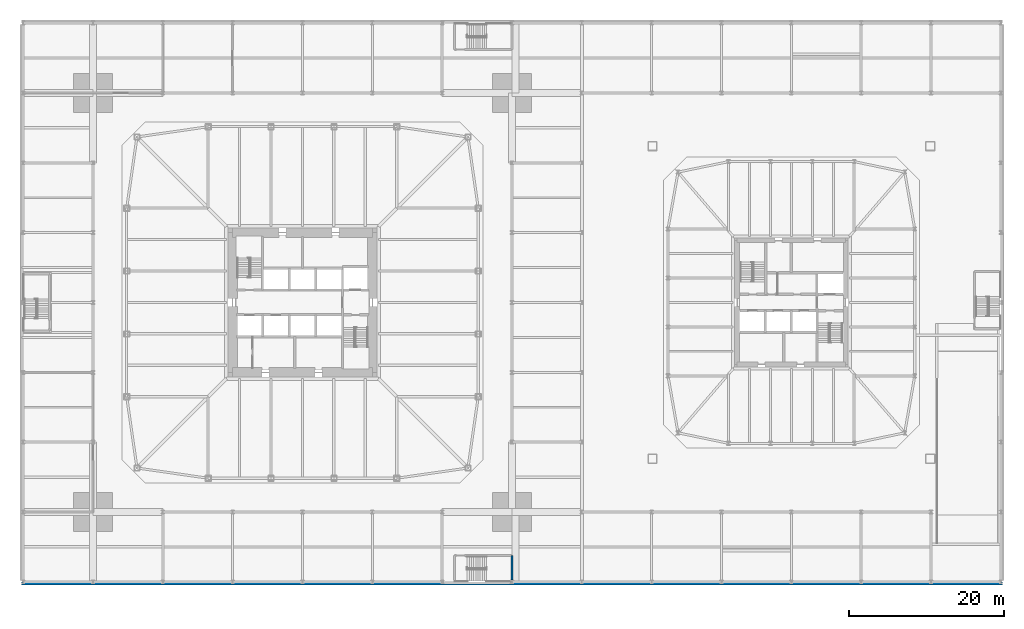
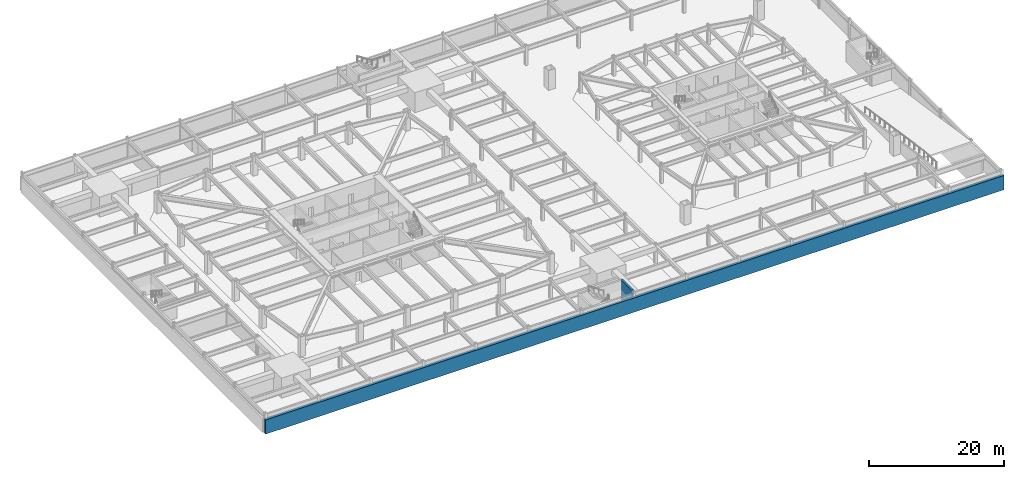
# One storey, part 11 of 17: 2 walls.
"""IFC4 building model written with IfcOpenShell, lengths in metres."""

from ifc_helpers import new_model, si_unit, direction, frame, frame_2d, origin, place, context, subcontext, project, spatial, rectangle, extrude, material, layer, layer_set, type_object, element, save


model = new_model("IFC4")

# Units and contexts
model_context = context("Model", 3, precision=1e-05, world=origin(), true_north=direction((0.0, 1.0)))
body_context = subcontext(model_context, "Body", "Model", "MODEL_VIEW")
ifc_project = project(units=[si_unit("LENGTHUNIT", "METRE"), si_unit("AREAUNIT", "SQUARE_METRE"), si_unit("VOLUMEUNIT", "CUBIC_METRE"), si_unit("PLANEANGLEUNIT", "RADIAN"), si_unit("MASSUNIT", "GRAM", prefix="KILO")], contexts=[model_context])

# Site, building, storey
site_placement = place(None, origin())
site = spatial("IfcSite", under=ifc_project, at=site_placement, CompositionType="ELEMENT")
building_placement = place(site_placement, origin())
building = spatial("IfcBuilding", under=site, at=building_placement, Name="Iwan Alto Co-Living Towers", CompositionType="ELEMENT")
storey_placement = place(building_placement, frame((0.0, 0.0, -3.60009765625)))
storey = spatial("IfcBuildingStorey", under=building, at=storey_placement, Name="B1", CompositionType="ELEMENT", Elevation=-3.60009765625)

# Walls
ifc_material_1 = material(Name="Concrete f'c 70 MPa", Category="concrete")
ifc_layer_1 = layer(ifc_material_1, 0.39990234375)
ifc_layer_set_1 = layer_set([ifc_layer_1], Name="BASEMENT RETAINING WALL 400")
wall_type_1 = type_object("IfcWallType", Name="BASEMENT RETAINING WALL 400", PredefinedType="SOLIDWALL", material=ifc_layer_set_1)
wall_1_placement = place(storey_placement, frame((-36.199951171875, -36.199951171875, 0.0), z_axis=(0.0, 0.0, 1.0), x_axis=(1.0, 0.0, 0.0)))
element("IfcWall", 1, at=wall_1_placement, inside=storey, type_object=wall_type_1, Name="Basement retaining wall S B1", PredefinedType="SOLIDWALL", context=body_context, shape_type="SweptSolid", body=[
    extrude(rectangle(XDim=126.39990234375, YDim=0.39990234375, at=frame_2d((63.199951171875, 0.0))), origin(), (0.0, 0.0, 1.0), 2.58056640625),
])
ifc_material_2 = material(Name="Concrete f'c 70 MPa", Category="concrete")
ifc_layer_2 = layer(ifc_material_2, 0.300048828125)
ifc_layer_set_2 = layer_set([ifc_layer_2], Name="SHAFT WALL 300")
wall_type_2 = type_object("IfcWallType", Name="SHAFT WALL 300", PredefinedType="SOLIDWALL", material=ifc_layer_set_2)
wall_2_placement = place(storey_placement, frame((27.0, -35.78271484375, 0.0), z_axis=(0.0, 0.0, 1.0), x_axis=(0.0, 1.0, 0.0)))
element("IfcWall", 2, at=wall_2_placement, inside=storey, type_object=wall_type_2, Name="Shaft wall B1", PredefinedType="SOLIDWALL", context=body_context, shape_type="SweptSolid", body=[
    extrude(rectangle(XDim=3.1826171875, YDim=0.300048828125, at=frame_2d((1.59130859375, 0.0))), origin(), (0.0, 0.0, 1.0), 3.60009765625),
])

save(model, "model.ifc")
